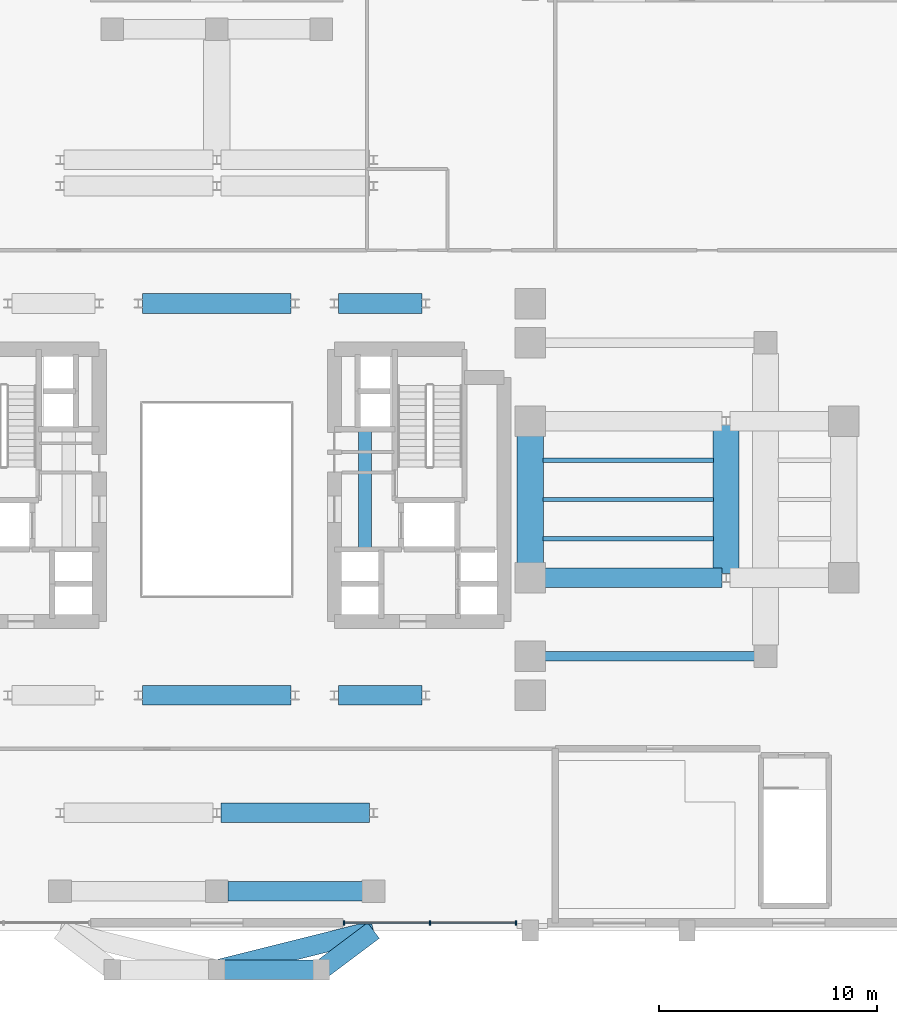
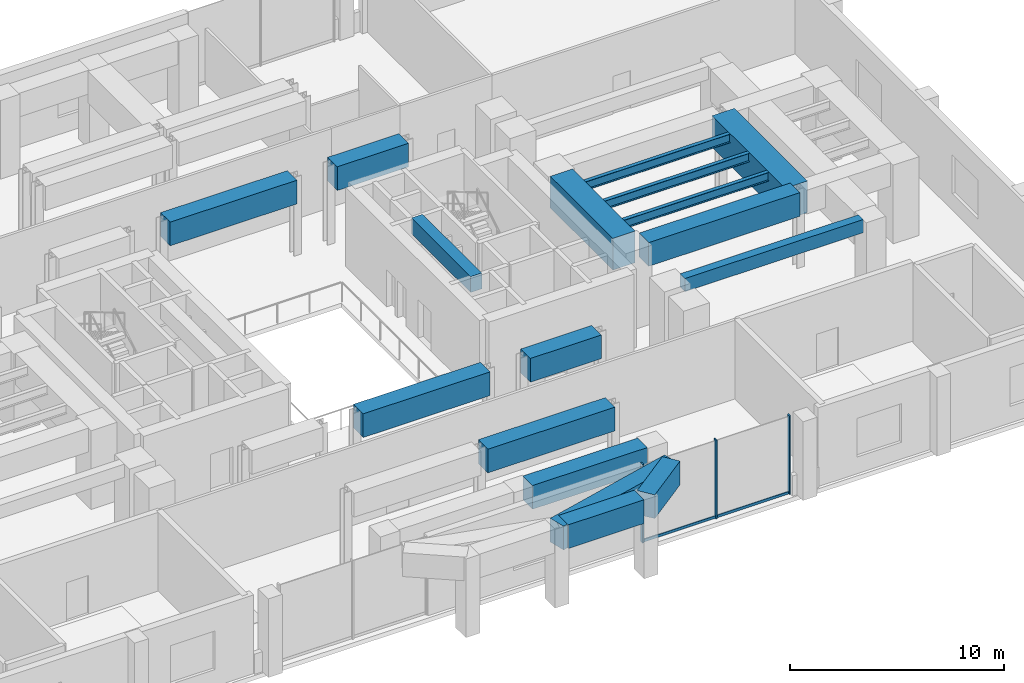
# One storey, part 5 of 13: 17 beams, 5 members, 1 element without a shape of its own.
"""IFC4 building model written with IfcOpenShell, lengths in metres."""

from ifc_helpers import new_model, si_unit, direction, frame, origin, origin_2d, place, context, subcontext, project, spatial, rectangle, i_section, extrude, source, transform, mapped, material, material_profile, profile_set, type_object, element, aggregate, save


model = new_model("IFC4")

# Units and contexts
model_context = context("Model", 3, precision=1e-05, world=origin(), true_north=direction((0.0, 1.0)))
body_context = subcontext(model_context, "Body", "Model", "MODEL_VIEW")
ifc_project = project(units=[si_unit("LENGTHUNIT", "METRE"), si_unit("AREAUNIT", "SQUARE_METRE"), si_unit("VOLUMEUNIT", "CUBIC_METRE"), si_unit("PLANEANGLEUNIT", "RADIAN"), si_unit("MASSUNIT", "GRAM", prefix="KILO")], contexts=[model_context])

# Site, building, storey
site_placement = place(None, origin())
site = spatial("IfcSite", under=ifc_project, at=site_placement, CompositionType="ELEMENT")
building_placement = place(site_placement, origin())
building = spatial("IfcBuilding", under=site, at=building_placement, Name="Keilestroom Media Tower", CompositionType="ELEMENT")
storey_placement = place(building_placement, frame((0.0, 0.0, 20.39990234375)))
storey = spatial("IfcBuildingStorey", under=building, at=storey_placement, Name="L04", CompositionType="ELEMENT", Elevation=20.39990234375)

# Beams
ifc_material_1 = material(Name="Concrete C55/67", Category="concrete")
ifc_material_profile_1 = material_profile(ifc_material_1, rectangle(XDim=0.89990234375, YDim=1.35009765625, at=origin_2d()), Name="RC 900x1350")
ifc_profile_set_1 = profile_set([ifc_material_profile_1], Name="Concrete C55/67")
beam_type_1 = type_object("IfcBeamType", Name="Primary-Structural-Girder-RC-900x1350", PredefinedType="BEAM", material=ifc_profile_set_1)
shared_shape_1 = source(origin(), body_context, "Body", "SweptSolid", [
    extrude(rectangle(XDim=0.89990234375, YDim=1.35009765625, at=origin_2d()), origin(), (0.0, 0.0, 1.0), 3.0),
])
beam_1_placement = place(storey_placement, frame((4.800048828125, -21.60009765625, 3.80517578125), z_axis=(0.799980468008, 0.600026041773, 0.0), x_axis=(-0.600026041773, 0.799980468008, 0.0)))
element("IfcBeam", 1, at=beam_1_placement, inside=storey, type_object=beam_type_1, Name="L04 South-Lobe Podium Tie Girder 4", PredefinedType="BEAM", context=body_context, shape_type="MappedRepresentation", body=[
    mapped(shared_shape_1, transform((0.0, 0.0, 0.0), x_axis=(1.0, 0.0, 0.0), y_axis=(0.0, 1.0, 0.0), z_axis=(0.0, 0.0, 1.0), scale=1.0)),
])
shared_shape_2 = source(origin(), body_context, "Body", "SweptSolid", [
    extrude(rectangle(XDim=0.89990234375, YDim=1.35009765625, at=origin_2d()), origin(), (0.0, 0.0, 1.0), 7.421630859375),
])
beam_2_placement = place(storey_placement, frame((0.0, -21.60009765625, 3.80517578125), z_axis=(0.970140565046, 0.242543365301, 0.0), x_axis=(-0.242543365301, 0.970140565046, 0.0)))
element("IfcBeam", 2, at=beam_2_placement, inside=storey, type_object=beam_type_1, Name="L04 South-Lobe Podium Tie Girder 3", PredefinedType="BEAM", context=body_context, shape_type="MappedRepresentation", body=[
    mapped(shared_shape_2, transform((0.0, 0.0, 0.0), x_axis=(1.0, 0.0, 0.0), y_axis=(0.0, 1.0, 0.0), z_axis=(0.0, 0.0, 1.0), scale=1.0)),
])
ifc_material_2 = material(Name="Concrete C70/85", Category="concrete")
ifc_material_profile_2 = material_profile(ifc_material_2, rectangle(XDim=0.60009765625, YDim=0.89990234375, at=origin_2d()), Name="RC 600x900")
ifc_profile_set_2 = profile_set([ifc_material_profile_2], Name="Concrete C70/85")
beam_type_2 = type_object("IfcBeamType", Name="Core-Coupling-Lintel-Beam-RC-600x900", PredefinedType="LINTEL", material=ifc_profile_set_2)
shared_shape_3 = source(origin(), body_context, "Body", "SweptSolid", [
    extrude(rectangle(XDim=0.60009765625, YDim=0.89990234375, at=origin_2d()), origin(), (0.0, 0.0, 1.0), 5.52001953125),
])
beam_3_placement = place(storey_placement, frame((6.800048828125, -2.300048828125, 4.030029296875), z_axis=(0.0, 1.0, 0.0), x_axis=(-1.0, 0.0, 0.0)))
element("IfcBeam", 3, at=beam_3_placement, inside=storey, type_object=beam_type_2, Name="L04 Beam CLB-1 CLB-L04-E", PredefinedType="LINTEL", context=body_context, shape_type="MappedRepresentation", body=[
    mapped(shared_shape_3, transform((0.0, 0.0, 0.0), x_axis=(1.0, 0.0, 0.0), y_axis=(0.0, 1.0, 0.0), z_axis=(0.0, 0.0, 1.0), scale=1.0)),
])
shared_shape_4 = source(origin(), body_context, "Body", "SweptSolid", [
    extrude(rectangle(XDim=0.89990234375, YDim=1.35009765625, at=origin_2d()), origin(), (0.0, 0.0, 1.0), 6.190185546875),
])
beam_4_placement = place(storey_placement, frame((0.5048828125, -18.0, 3.80517578125), z_axis=(1.0, 0.0, 0.0), x_axis=(0.0, 1.0, 0.0)))
element("IfcBeam", 4, at=beam_4_placement, inside=storey, type_object=beam_type_1, Name="L04 Beam TG-2 BM-L04-EW-004", PredefinedType="BEAM", context=body_context, shape_type="MappedRepresentation", body=[
    mapped(shared_shape_4, transform((0.0, 0.0, 0.0), x_axis=(1.0, 0.0, 0.0), y_axis=(0.0, 1.0, 0.0), z_axis=(0.0, 0.0, 1.0), scale=1.0)),
])
shared_shape_5 = source(origin(), body_context, "Body", "SweptSolid", [
    extrude(rectangle(XDim=0.89990234375, YDim=1.35009765625, at=origin_2d()), origin(), (0.0, 0.0, 1.0), 6.833984375),
])
for number, where, z_axis, x_axis, name in (
    (5, (0.18310546875, -14.39990234375, 3.80517578125), (1.0, 0.0, 0.0), (0.0, 1.0, 0.0), "L04 Beam TG-2 BM-L04-EW-006"),
    (6, (-3.4169921875, -9.0, 3.80517578125), (1.0, 0.0, 0.0), (0.0, 1.0, 0.0), "L04 Beam TG-2 BM-L04-EW-009"),
    (7, (-3.4169921875, 9.0, 3.80517578125), (1.0, 0.0, 0.0), (0.0, 1.0, 0.0), "L04 Beam TG-2 BM-L04-EW-026"),
):
    element("IfcBeam", number, at=place(storey_placement, frame(where, z_axis=z_axis, x_axis=x_axis)), inside=storey, type_object=beam_type_1, Name=name, PredefinedType="BEAM", context=body_context, shape_type="MappedRepresentation", body=[
        mapped(shared_shape_5, transform((0.0, 0.0, 0.0), x_axis=(1.0, 0.0, 0.0), y_axis=(0.0, 1.0, 0.0), z_axis=(0.0, 0.0, 1.0), scale=1.0)),
    ])
shared_shape_6 = source(origin(), body_context, "Body", "SweptSolid", [
    extrude(rectangle(XDim=0.89990234375, YDim=1.35009765625, at=origin_2d()), origin(), (0.0, 0.0, 1.0), 3.833984375),
])
for number, where, z_axis, x_axis, name in (
    (8, (5.5830078125, -9.0, 3.80517578125), (1.0, 0.0, 0.0), (0.0, 1.0, 0.0), "L04 Beam TG-2 BM-L04-EW-011"),
    (9, (5.5830078125, 9.0, 3.80517578125), (1.0, 0.0, 0.0), (0.0, 1.0, 0.0), "L04 Beam TG-2 BM-L04-EW-028"),
):
    element("IfcBeam", number, at=place(storey_placement, frame(where, z_axis=z_axis, x_axis=x_axis)), inside=storey, type_object=beam_type_1, Name=name, PredefinedType="BEAM", context=body_context, shape_type="MappedRepresentation", body=[
        mapped(shared_shape_6, transform((0.0, 0.0, 0.0), x_axis=(1.0, 0.0, 0.0), y_axis=(0.0, 1.0, 0.0), z_axis=(0.0, 0.0, 1.0), scale=1.0)),
    ])
shared_shape_7 = source(origin(), body_context, "Body", "SweptSolid", [
    extrude(rectangle(XDim=0.89990234375, YDim=1.35009765625, at=origin_2d()), origin(), (0.0, 0.0, 1.0), 8.136962890625),
])
beam_5_placement = place(storey_placement, frame((15.080078125, -3.60009765625, 3.80517578125), z_axis=(1.0, 0.0, 0.0), x_axis=(0.0, 1.0, 0.0)))
element("IfcBeam", 10, at=beam_5_placement, inside=storey, type_object=beam_type_1, Name="L04 Beam TG-2 BM-L04-EW-016", PredefinedType="BEAM", context=body_context, shape_type="MappedRepresentation", body=[
    mapped(shared_shape_7, transform((0.0, 0.0, 0.0), x_axis=(1.0, 0.0, 0.0), y_axis=(0.0, 1.0, 0.0), z_axis=(0.0, 0.0, 1.0), scale=1.0)),
])
shared_shape_8 = source(origin(), body_context, "Body", "SweptSolid", [
    extrude(rectangle(XDim=0.89990234375, YDim=1.35009765625, at=origin_2d()), origin(), (0.0, 0.0, 1.0), 4.090087890625),
])
beam_6_placement = place(storey_placement, frame((0.35498046875, -21.60009765625, 3.80517578125), z_axis=(1.0, 0.0, 0.0), x_axis=(0.0, 1.0, 0.0)))
element("IfcBeam", 11, at=beam_6_placement, inside=storey, type_object=beam_type_1, Name="L04 Beam TG-2 BM-L04-EW-002", PredefinedType="BEAM", context=body_context, shape_type="MappedRepresentation", body=[
    mapped(shared_shape_8, transform((0.0, 0.0, 0.0), x_axis=(1.0, 0.0, 0.0), y_axis=(0.0, 1.0, 0.0), z_axis=(0.0, 0.0, 1.0), scale=1.0)),
])
ifc_material_3 = material(Name="Precast concrete C40/50", Category="concrete")
ifc_material_profile_3 = material_profile(ifc_material_3, rectangle(XDim=0.449951171875, YDim=0.75, at=origin_2d()), Name="PC 450x750")
ifc_profile_set_3 = profile_set([ifc_material_profile_3], Name="Precast concrete C40/50")
beam_type_3 = type_object("IfcBeamType", Name="Perimeter-Spandrel-Beam-PC-450x750", PredefinedType="SPANDREL", material=ifc_profile_set_3)
shared_shape_9 = source(origin(), body_context, "Body", "SweptSolid", [
    extrude(rectangle(XDim=0.449951171875, YDim=0.75, at=origin_2d()), origin(), (0.0, 0.0, 1.0), 9.614990234375),
])
beam_7_placement = place(storey_placement, frame((15.080078125, -7.199951171875, 4.10498046875), z_axis=(1.0, 0.0, 0.0), x_axis=(0.0, 1.0, 0.0)))
element("IfcBeam", 12, at=beam_7_placement, inside=storey, type_object=beam_type_3, Name="L04 Beam SPB-1 BM-L04-EW-013", PredefinedType="SPANDREL", context=body_context, shape_type="MappedRepresentation", body=[
    mapped(shared_shape_9, transform((0.0, 0.0, 0.0), x_axis=(1.0, 0.0, 0.0), y_axis=(0.0, 1.0, 0.0), z_axis=(0.0, 0.0, 1.0), scale=1.0)),
])
ifc_material_4 = material(Name="Concrete C60/75", Category="concrete")
ifc_material_profile_4 = material_profile(ifc_material_4, rectangle(XDim=1.199951171875, YDim=1.800048828125, at=origin_2d()), Name="RC 1200x1800")
ifc_profile_set_4 = profile_set([ifc_material_profile_4], Name="Concrete C60/75")
beam_type_4 = type_object("IfcBeamType", Name="Primary-Structural-Girder-RC-1200x1800", PredefinedType="BEAM", material=ifc_profile_set_4)
shared_shape_10 = source(origin(), body_context, "Body", "SweptSolid", [
    extrude(rectangle(XDim=1.199951171875, YDim=1.800048828125, at=origin_2d()), origin(), (0.0, 0.0, 1.0), 5.83984375),
])
beam_8_placement = place(storey_placement, frame((14.39990234375, -2.919921875, 3.580078125), z_axis=(0.0, 1.0, 0.0), x_axis=(-1.0, 0.0, 0.0)))
element("IfcBeam", 13, at=beam_8_placement, inside=storey, type_object=beam_type_4, Name="L04 Beam TG-1 BM-L04-NS-056", PredefinedType="BEAM", context=body_context, shape_type="MappedRepresentation", body=[
    mapped(shared_shape_10, transform((0.0, 0.0, 0.0), x_axis=(1.0, 0.0, 0.0), y_axis=(0.0, 1.0, 0.0), z_axis=(0.0, 0.0, 1.0), scale=1.0)),
])
shared_shape_11 = source(origin(), body_context, "Body", "SweptSolid", [
    extrude(rectangle(XDim=1.199951171875, YDim=1.800048828125, at=origin_2d()), origin(), (0.0, 0.0, 1.0), 6.82421875),
])
beam_9_placement = place(storey_placement, frame((23.39990234375, -3.412109375, 3.580078125), z_axis=(0.0, 1.0, 0.0), x_axis=(-1.0, 0.0, 0.0)))
element("IfcBeam", 14, at=beam_9_placement, inside=storey, type_object=beam_type_4, Name="L04 Beam TG-1 BM-L04-NS-058", PredefinedType="BEAM", context=body_context, shape_type="MappedRepresentation", body=[
    mapped(shared_shape_11, transform((0.0, 0.0, 0.0), x_axis=(1.0, 0.0, 0.0), y_axis=(0.0, 1.0, 0.0), z_axis=(0.0, 0.0, 1.0), scale=1.0)),
])
ifc_material_5 = material(Name="Steel S355", Category="steel")
ifc_material_profile_5 = material_profile(ifc_material_5, i_section(OverallWidth=0.199951171875, OverallDepth=0.5, WebThickness=0.01025390625, FlangeThickness=0.01611328125, at=origin_2d()), Name="IPE 500")
ifc_profile_set_5 = profile_set([ifc_material_profile_5], Name="Steel S355")
beam_type_5 = type_object("IfcBeamType", Name="Secondary-Floor-Joist-IPE-500", PredefinedType="JOIST", material=ifc_profile_set_5)
shared_shape_12 = source(origin(), body_context, "Body", "SweptSolid", [
    extrude(i_section(OverallWidth=0.199951171875, OverallDepth=0.5, WebThickness=0.01025390625, FlangeThickness=0.01611328125, at=origin_2d()), origin(), (0.0, 0.0, 1.0), 7.840087890625),
])
for number, where, z_axis, x_axis, name in (
    (15, (14.97998046875, -1.800048828125, 4.22998046875), (1.0, 0.0, 0.0), (0.0, 1.0, 0.0), "L04 Beam BJ-2 JST-L04-063"),
    (16, (14.97998046875, 0.0, 4.22998046875), (1.0, 0.0, 0.0), (0.0, 1.0, 0.0), "L04 Beam BJ-2 JST-L04-067"),
    (17, (14.97998046875, 1.800048828125, 4.22998046875), (1.0, 0.0, 0.0), (0.0, 1.0, 0.0), "L04 Beam BJ-2 JST-L04-071"),
):
    element("IfcBeam", number, at=place(storey_placement, frame(where, z_axis=z_axis, x_axis=x_axis)), inside=storey, type_object=beam_type_5, Name=name, PredefinedType="JOIST", context=body_context, shape_type="MappedRepresentation", body=[
        mapped(shared_shape_12, transform((0.0, 0.0, 0.0), x_axis=(1.0, 0.0, 0.0), y_axis=(0.0, 1.0, 0.0), z_axis=(0.0, 0.0, 1.0), scale=1.0)),
    ])

# Curtain wall, members
ifc_material_6 = material(Name="Anodised Aluminium Alloy", Category="aluminium")
curtain_wall_type = type_object("IfcCurtainWallType", Name="Unitised-Curtain-Wall-CW-5", PredefinedType="NOTDEFINED", material=ifc_material_6)
curtain_wall_placement = place(storey_placement, origin())
curtain_wall = element("IfcCurtainWall", 18, at=curtain_wall_placement, inside=storey, type_object=curtain_wall_type, Name="L04 Curtain Wall CW-5 CW-L04-S-ATE", PredefinedType="NOTDEFINED")
ifc_material_profile_6 = material_profile(ifc_material_6, rectangle(XDim=0.06494140625, YDim=0.14990234375, at=origin_2d()), Name="ALU TRANSOM 65x150")
ifc_profile_set_6 = profile_set([ifc_material_profile_6], Name="Anodised Aluminium Alloy")
member_type_1 = type_object("IfcMemberType", Name="Curtain-Wall-Transom-CW-5", PredefinedType="USERDEFINED", material=ifc_profile_set_6)
shared_shape_13 = source(origin(), body_context, "Body", "SweptSolid", [
    extrude(rectangle(XDim=0.06494140625, YDim=0.14990234375, at=origin_2d()), origin(), (0.0, 0.0, 1.0), 3.888916015625),
])
member_1_placement = place(storey_placement, frame((9.822998046875, -19.449951171875, 0.0751953125), z_axis=(1.0, 0.0, 0.0), x_axis=(0.0, 1.0, 0.0)))
member_1 = element("IfcMember", 19, at=member_1_placement, type_object=member_type_1, Name="CW-5 Transom 01.1", ObjectType="TRANSOM", PredefinedType="USERDEFINED", context=body_context, shape_type="MappedRepresentation", body=[
    mapped(shared_shape_13, transform((0.0, 0.0, 0.0), x_axis=(1.0, 0.0, 0.0), y_axis=(0.0, 1.0, 0.0), z_axis=(0.0, 0.0, 1.0), scale=1.0)),
])
shared_shape_14 = source(origin(), body_context, "Body", "SweptSolid", [
    extrude(rectangle(XDim=0.06494140625, YDim=0.14990234375, at=origin_2d()), origin(), (0.0, 0.0, 1.0), 3.88916015625),
])
member_2_placement = place(storey_placement, frame((5.867919921875, -19.449951171875, 0.0751953125), z_axis=(1.0, 0.0, 0.0), x_axis=(0.0, 1.0, 0.0)))
member_2 = element("IfcMember", 20, at=member_2_placement, type_object=member_type_1, Name="CW-5 Transom 00.1", ObjectType="TRANSOM", PredefinedType="USERDEFINED", context=body_context, shape_type="MappedRepresentation", body=[
    mapped(shared_shape_14, transform((0.0, 0.0, 0.0), x_axis=(1.0, 0.0, 0.0), y_axis=(0.0, 1.0, 0.0), z_axis=(0.0, 0.0, 1.0), scale=1.0)),
])
ifc_material_profile_7 = material_profile(ifc_material_6, rectangle(XDim=0.070068359375, YDim=0.199951171875, at=origin_2d()), Name="ALU MULLION 70x200")
ifc_profile_set_7 = profile_set([ifc_material_profile_7], Name="Anodised Aluminium Alloy")
member_type_2 = type_object("IfcMemberType", Name="Curtain-Wall-Mullion-CW-5", PredefinedType="MULLION", material=ifc_profile_set_7)
shared_shape_15 = source(origin(), body_context, "Body", "SweptSolid", [
    extrude(rectangle(XDim=0.070068359375, YDim=0.199951171875, at=origin_2d()), origin(), (0.0, 0.0, 1.0), 4.47998046875),
])
member_3_placement = place(storey_placement, frame((5.8349609375, -19.449951171875, 0.0), z_axis=(0.0, 0.0, 1.0), x_axis=(1.0, 0.0, 0.0)))
member_3 = element("IfcMember", 21, at=member_3_placement, type_object=member_type_2, Name="CW-5 Mullion 00", PredefinedType="MULLION", context=body_context, shape_type="MappedRepresentation", body=[
    mapped(shared_shape_15, transform((0.0, 0.0, 0.0), x_axis=(1.0, 0.0, 0.0), y_axis=(0.0, 1.0, 0.0), z_axis=(0.0, 0.0, 1.0), scale=1.0)),
])
member_4_placement = place(storey_placement, frame((9.7900390625, -19.449951171875, 0.0), z_axis=(0.0, 0.0, 1.0), x_axis=(1.0, 0.0, 0.0)))
member_4 = element("IfcMember", 22, at=member_4_placement, type_object=member_type_2, Name="CW-5 Mullion 01", PredefinedType="MULLION", context=body_context, shape_type="MappedRepresentation", body=[
    mapped(shared_shape_15, transform((0.0, 0.0, 0.0), x_axis=(1.0, 0.0, 0.0), y_axis=(0.0, 1.0, 0.0), z_axis=(0.0, 0.0, 1.0), scale=1.0)),
])
member_5_placement = place(storey_placement, frame((13.7451171875, -19.449951171875, 0.0), z_axis=(0.0, 0.0, 1.0), x_axis=(1.0, 0.0, 0.0)))
member_5 = element("IfcMember", 23, at=member_5_placement, type_object=member_type_2, Name="CW-5 Mullion 02", PredefinedType="MULLION", context=body_context, shape_type="MappedRepresentation", body=[
    mapped(shared_shape_15, transform((0.0, 0.0, 0.0), x_axis=(1.0, 0.0, 0.0), y_axis=(0.0, 1.0, 0.0), z_axis=(0.0, 0.0, 1.0), scale=1.0)),
])
aggregate(curtain_wall, [member_3, member_4, member_5, member_2, member_1])

save(model, "model.ifc")
